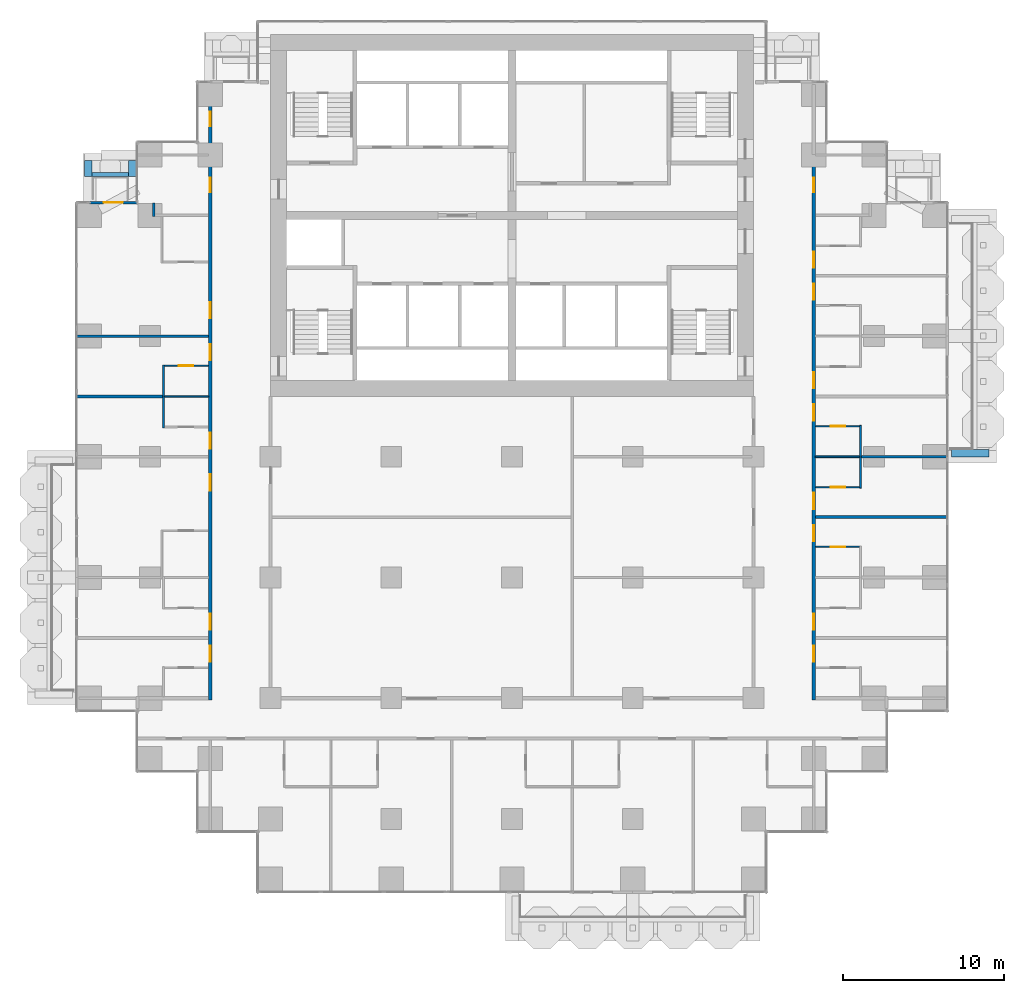
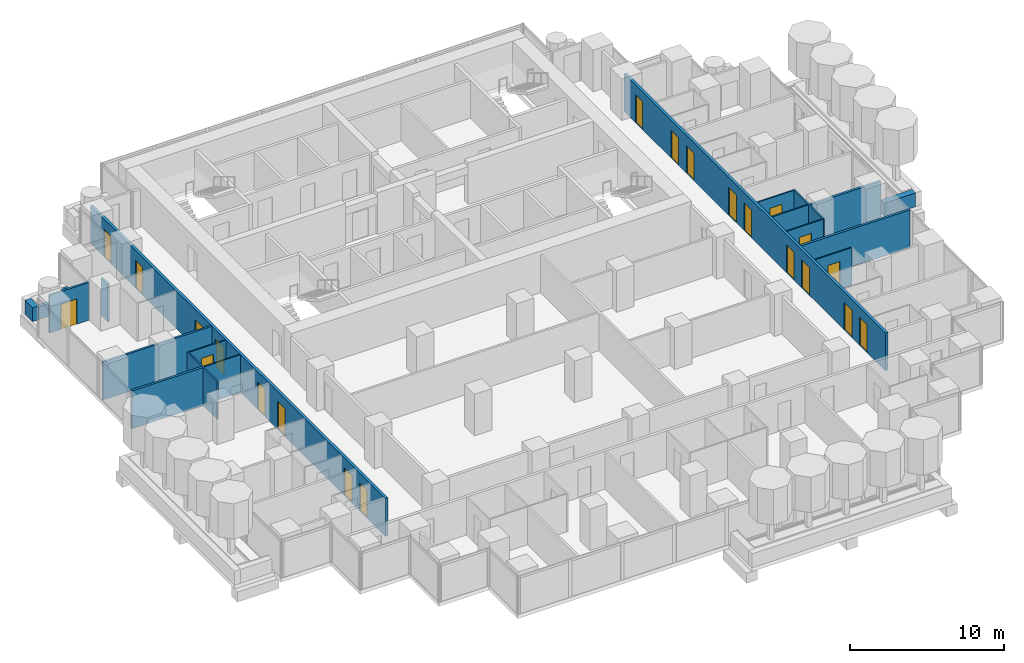
# One storey, part 13 of 19: 22 doors, 20 walls, 22 openings.
"""IFC4 building model written with IfcOpenShell, lengths in metres."""

from ifc_helpers import new_model, si_unit, direction, frame, frame_2d, origin, place, context, subcontext, project, spatial, rectangle, extrude, material, layer, layer_set, type_object, element, fill, save


model = new_model("IFC4")

# Units and contexts
model_context = context("Model", 3, precision=1e-05, world=origin(), true_north=direction((0.0, 1.0)))
body_context = subcontext(model_context, "Body", "Model", "MODEL_VIEW")
ifc_project = project(units=[si_unit("LENGTHUNIT", "METRE"), si_unit("AREAUNIT", "SQUARE_METRE"), si_unit("VOLUMEUNIT", "CUBIC_METRE"), si_unit("PLANEANGLEUNIT", "RADIAN"), si_unit("MASSUNIT", "GRAM", prefix="KILO")], contexts=[model_context])

# Site, building, storey
site_placement = place(None, origin())
site = spatial("IfcSite", under=ifc_project, at=site_placement, CompositionType="ELEMENT")
building_placement = place(site_placement, origin())
building = spatial("IfcBuilding", under=site, at=building_placement, Name="Pilkhan Gate Tower", CompositionType="ELEMENT")
storey_placement = place(building_placement, frame((0.0, 0.0, 59.300048828125)))
storey = spatial("IfcBuildingStorey", under=building, at=storey_placement, Name="L12", CompositionType="ELEMENT", Elevation=59.300048828125)

# Walls
ifc_material_1 = material(Name="Dense blockwork", Category="masonry")
ifc_layer_1 = layer(ifc_material_1, 0.175048828125)
ifc_layer_set_1 = layer_set([ifc_layer_1], Name="Acoustic party wall PW175")
wall_type_1 = type_object("IfcWallType", Name="Acoustic party wall PW175", PredefinedType="PARTITIONING", material=ifc_layer_set_1)
wall_1_placement = place(storey_placement, frame((93.85009765625, 63.75, 0.0), z_axis=(0.0, 0.0, 1.0), x_axis=(1.0, 0.0, 0.0)))
element("IfcWall", 1, at=wall_1_placement, inside=storey, type_object=wall_type_1, Name="Partition L12", PredefinedType="PARTITIONING", context=body_context, shape_type="SweptSolid", body=[
    extrude(rectangle(XDim=8.164794921875, YDim=0.175048828125, at=frame_2d((4.08251953125, 0.0))), origin(), (0.0, 0.0, 1.0), 3.0),
])
for number, where, z_axis, x_axis, name in (
    (2, (96.699951171875, 67.5, 0.0), (0.0, 0.0, 1.0), (1.0, 0.0, 0.0), "Partition L12"),
    (3, (47.985107421875, 71.25, 0.0), (0.0, 0.0, 1.0), (1.0, 0.0, 0.0), "Partition L12"),
):
    element("IfcWall", number, at=place(storey_placement, frame(where, z_axis=z_axis, x_axis=x_axis)), inside=storey, type_object=wall_type_1, Name=name, PredefinedType="PARTITIONING", context=body_context, shape_type="SweptSolid", body=[
        extrude(rectangle(XDim=5.31494140625, YDim=0.175048828125, at=frame_2d((2.657470703125, 0.0))), origin(), (0.0, 0.0, 1.0), 3.0),
    ])
ifc_material_2 = material(Name="Concrete C40/50", Category="concrete")
ifc_layer_2 = layer(ifc_material_2, 0.25)
ifc_layer_set_2 = layer_set([ifc_layer_2], Name="Balcony planter BP250")
wall_type_2 = type_object("IfcWallType", Name="Balcony planter BP250", PredefinedType="USERDEFINED", material=ifc_layer_set_2)
wall_2_placement = place(storey_placement, frame((48.89990234375, 85.02490234375, 0.0), z_axis=(0.0, 0.0, 1.0), x_axis=(1.0, 0.0, 0.0)))
element("IfcWall", 4, at=wall_2_placement, inside=storey, type_object=wall_type_2, Name="Balcony planter L12 N", ObjectType="BALCONY PLANTER", PredefinedType="USERDEFINED", context=body_context, shape_type="SweptSolid", body=[
    extrude(rectangle(XDim=2.280029296875, YDim=0.25, at=frame_2d((1.14013671875, 0.0))), origin(), (0.0, 0.0, 1.0), 1.0),
])
ifc_material_3 = material(Name="Board-marked Concrete C40/50", Category="concrete")
ifc_layer_3 = layer(ifc_material_3, 0.449951171875)
ifc_layer_set_3 = layer_set([ifc_layer_3], Name="Balcony planter lip BL450")
wall_type_3 = type_object("IfcWallType", Name="Balcony planter lip BL450", PredefinedType="USERDEFINED", material=ifc_layer_set_3)
wall_3_placement = place(storey_placement, frame((102.300048828125, 67.72509765625, 0.0), z_axis=(0.0, 0.0, 1.0), x_axis=(1.0, 0.0, 0.0)))
element("IfcWall", 5, at=wall_3_placement, inside=storey, type_object=wall_type_3, Name="Balcony planter L12 E", ObjectType="BALCONY PLANTER", PredefinedType="USERDEFINED", context=body_context, shape_type="SweptSolid", body=[
    extrude(rectangle(XDim=2.349853515625, YDim=0.449951171875, at=frame_2d((1.1748046875, 0.0))), origin(), (0.0, 0.0, 1.0), 1.099853515625),
])
for number, where, z_axis, x_axis, name in (
    (6, (48.675048828125, 84.89990234375, 0.0), (0.0, 0.0, 1.0), (0.0, 1.0, 0.0), "Balcony planter L12 N"),
    (7, (51.405029296875, 84.89990234375, 0.0), (0.0, 0.0, 1.0), (0.0, 1.0, 0.0), "Balcony planter L12 N"),
):
    element("IfcWall", number, at=place(storey_placement, frame(where, z_axis=z_axis, x_axis=x_axis)), inside=storey, type_object=wall_type_3, Name=name, ObjectType="BALCONY PLANTER", PredefinedType="USERDEFINED", context=body_context, shape_type="SweptSolid", body=[
        extrude(rectangle(XDim=1.0, YDim=0.449951171875, at=frame_2d((0.5, 0.0))), origin(), (0.0, 0.0, 1.0), 1.099853515625),
    ])

# Wall, openings, doors
ifc_layer_4 = layer(ifc_material_1, 0.199951171875)
ifc_layer_set_4 = layer_set([ifc_layer_4], Name="Corridor wall FW200")
wall_type_4 = type_object("IfcWallType", Name="Corridor wall FW200", PredefinedType="PARTITIONING", material=ifc_layer_set_4)
wall_4_placement = place(storey_placement, frame((56.25, 52.39990234375, 0.0), z_axis=(0.0, 0.0, 1.0), x_axis=(0.0, 1.0, 0.0)))
wall_4 = element("IfcWall", 8, at=wall_4_placement, inside=storey, type_object=wall_type_4, Name="Partition L12", PredefinedType="PARTITIONING", context=body_context, shape_type="SweptSolid", body=[
    extrude(rectangle(XDim=38.31005859375, YDim=0.199951171875, at=frame_2d((19.155029296875, 0.0))), origin(), (0.0, 0.0, 1.0), 3.0),
])
opening_1_placement = place(wall_4_placement, frame((2.35009765625, 0.0, 0.0)))
opening_1 = element("IfcOpeningElement", 9, at=opening_1_placement, cuts=wall_4, Name="Opening L12-16", PredefinedType="OPENING", context=body_context, shape_type="SweptSolid", body=[
    extrude(rectangle(XDim=1.0, YDim=2.199951171875, at=frame_2d((0.5, 1.10009765625))), frame((0.0, 0.10986328125, 0.0), z_axis=(0.0, -1.0, 0.0), x_axis=(1.0, 0.0, 0.0)), (0.0, 0.0, 1.0), 0.219970703125),
])
opening_2_placement = place(wall_4_placement, frame((4.35009765625, 0.0, 0.0)))
opening_2 = element("IfcOpeningElement", 10, at=opening_2_placement, cuts=wall_4, Name="Opening L12-18", PredefinedType="OPENING", context=body_context, shape_type="SweptSolid", body=[
    extrude(rectangle(XDim=1.0, YDim=2.199951171875, at=frame_2d((0.5, 1.10009765625))), frame((0.0, 0.10986328125, 0.0), z_axis=(0.0, -1.0, 0.0), x_axis=(1.0, 0.0, 0.0)), (0.0, 0.0, 1.0), 0.219970703125),
])
opening_3_placement = place(wall_4_placement, frame((13.0, 0.0, 0.0)))
opening_3 = element("IfcOpeningElement", 11, at=opening_3_placement, cuts=wall_4, Name="Opening L12-20", PredefinedType="OPENING", context=body_context, shape_type="SweptSolid", body=[
    extrude(rectangle(XDim=1.0, YDim=2.199951171875, at=frame_2d((0.5, 1.10009765625))), frame((0.0, 0.10986328125, 0.0), z_axis=(0.0, -1.0, 0.0), x_axis=(1.0, 0.0, 0.0)), (0.0, 0.0, 1.0), 0.219970703125),
])
opening_4_placement = place(wall_4_placement, frame((15.60009765625, 0.0, 0.0)))
opening_4 = element("IfcOpeningElement", 12, at=opening_4_placement, cuts=wall_4, Name="Opening L12-22", PredefinedType="OPENING", context=body_context, shape_type="SweptSolid", body=[
    extrude(rectangle(XDim=1.0, YDim=2.199951171875, at=frame_2d((0.5, 1.10009765625))), frame((0.0, 0.10986328125, 0.0), z_axis=(0.0, -1.0, 0.0), x_axis=(1.0, 0.0, 0.0)), (0.0, 0.0, 1.0), 0.219970703125),
])
opening_5_placement = place(wall_4_placement, frame((21.10009765625, 0.0, 0.0)))
opening_5 = element("IfcOpeningElement", 13, at=opening_5_placement, cuts=wall_4, Name="Opening L12-24", PredefinedType="OPENING", context=body_context, shape_type="SweptSolid", body=[
    extrude(rectangle(XDim=1.0, YDim=2.199951171875, at=frame_2d((0.5, 1.10009765625))), frame((0.0, 0.10986328125, 0.0), z_axis=(0.0, -1.0, 0.0), x_axis=(1.0, 0.0, 0.0)), (0.0, 0.0, 1.0), 0.219970703125),
])
opening_6_placement = place(wall_4_placement, frame((23.699951171875, 0.0, 0.0)))
opening_6 = element("IfcOpeningElement", 14, at=opening_6_placement, cuts=wall_4, Name="Opening L12-26", PredefinedType="OPENING", context=body_context, shape_type="SweptSolid", body=[
    extrude(rectangle(XDim=1.0, YDim=2.199951171875, at=frame_2d((0.5, 1.10009765625))), frame((0.0, 0.10986328125, 0.0), z_axis=(0.0, -1.0, 0.0), x_axis=(1.0, 0.0, 0.0)), (0.0, 0.0, 1.0), 0.219970703125),
])
opening_7_placement = place(wall_4_placement, frame((31.550048828125, 0.0, 0.0)))
opening_7 = element("IfcOpeningElement", 15, at=opening_7_placement, cuts=wall_4, Name="Opening L12-51", PredefinedType="OPENING", context=body_context, shape_type="SweptSolid", body=[
    extrude(rectangle(XDim=0.89990234375, YDim=2.199951171875, at=frame_2d((0.449951171875, 1.10009765625))), frame((0.0, 0.10986328125, 0.0), z_axis=(0.0, -1.0, 0.0), x_axis=(1.0, 0.0, 0.0)), (0.0, 0.0, 1.0), 0.219970703125),
])
opening_8_placement = place(wall_4_placement, frame((35.64990234375, 0.0, 0.0)))
opening_8 = element("IfcOpeningElement", 16, at=opening_8_placement, cuts=wall_4, Name="Opening L12-52", PredefinedType="OPENING", context=body_context, shape_type="SweptSolid", body=[
    extrude(rectangle(XDim=0.89990234375, YDim=2.199951171875, at=frame_2d((0.449951171875, 1.10009765625))), frame((0.0, 0.10986328125, 0.0), z_axis=(0.0, -1.0, 0.0), x_axis=(1.0, 0.0, 0.0)), (0.0, 0.0, 1.0), 0.219970703125),
])
ifc_material_4 = material(Name="Timber flush door, 30 minute fire resisting", Category="wood")
door_type_1 = type_object("IfcDoorType", Name="Guest room door D01 1000x2200", OperationType="SINGLE_SWING_LEFT", PredefinedType="DOOR", material=ifc_material_4)
door_1_placement = place(opening_1_placement, origin())
door_1 = element("IfcDoor", 17, at=door_1_placement, inside=storey, type_object=door_type_1, Name="Guest room door", OperationType="SINGLE_SWING_LEFT", OverallHeight=2.199951171875, OverallWidth=1.0, PredefinedType="DOOR", context=body_context, shape_type="SweptSolid", body=[
    extrude(rectangle(XDim=1.0, YDim=2.199951171875, at=frame_2d((0.5, 1.10009765625))), frame((0.0, 0.02490234375, 0.0), z_axis=(0.0, -1.0, 0.0), x_axis=(1.0, 0.0, 0.0)), (0.0, 0.0, 1.0), 0.050048828125),
])
fill(opening_1, door_1)
door_2_placement = place(opening_2_placement, origin())
door_2 = element("IfcDoor", 18, at=door_2_placement, inside=storey, type_object=door_type_1, Name="Guest room door", OperationType="SINGLE_SWING_LEFT", OverallHeight=2.199951171875, OverallWidth=1.0, PredefinedType="DOOR", context=body_context, shape_type="SweptSolid", body=[
    extrude(rectangle(XDim=1.0, YDim=2.199951171875, at=frame_2d((0.5, 1.10009765625))), frame((0.0, 0.02490234375, 0.0), z_axis=(0.0, -1.0, 0.0), x_axis=(1.0, 0.0, 0.0)), (0.0, 0.0, 1.0), 0.050048828125),
])
fill(opening_2, door_2)
door_3_placement = place(opening_3_placement, origin())
door_3 = element("IfcDoor", 19, at=door_3_placement, inside=storey, type_object=door_type_1, Name="Guest room door", OperationType="SINGLE_SWING_RIGHT", OverallHeight=2.199951171875, OverallWidth=1.0, PredefinedType="DOOR", context=body_context, shape_type="SweptSolid", body=[
    extrude(rectangle(XDim=1.0, YDim=2.199951171875, at=frame_2d((0.5, 1.10009765625))), frame((0.0, 0.02490234375, 0.0), z_axis=(0.0, -1.0, 0.0), x_axis=(1.0, 0.0, 0.0)), (0.0, 0.0, 1.0), 0.050048828125),
])
fill(opening_3, door_3)
door_4_placement = place(opening_4_placement, origin())
door_4 = element("IfcDoor", 20, at=door_4_placement, inside=storey, type_object=door_type_1, Name="Guest room door", OperationType="SINGLE_SWING_LEFT", OverallHeight=2.199951171875, OverallWidth=1.0, PredefinedType="DOOR", context=body_context, shape_type="SweptSolid", body=[
    extrude(rectangle(XDim=1.0, YDim=2.199951171875, at=frame_2d((0.5, 1.10009765625))), frame((0.0, 0.02490234375, 0.0), z_axis=(0.0, -1.0, 0.0), x_axis=(1.0, 0.0, 0.0)), (0.0, 0.0, 1.0), 0.050048828125),
])
fill(opening_4, door_4)
door_5_placement = place(opening_5_placement, origin())
door_5 = element("IfcDoor", 21, at=door_5_placement, inside=storey, type_object=door_type_1, Name="Guest room door", OperationType="SINGLE_SWING_LEFT", OverallHeight=2.199951171875, OverallWidth=1.0, PredefinedType="DOOR", context=body_context, shape_type="SweptSolid", body=[
    extrude(rectangle(XDim=1.0, YDim=2.199951171875, at=frame_2d((0.5, 1.10009765625))), frame((0.0, 0.02490234375, 0.0), z_axis=(0.0, -1.0, 0.0), x_axis=(1.0, 0.0, 0.0)), (0.0, 0.0, 1.0), 0.050048828125),
])
fill(opening_5, door_5)
door_6_placement = place(opening_6_placement, origin())
door_6 = element("IfcDoor", 22, at=door_6_placement, inside=storey, type_object=door_type_1, Name="Guest room door", OperationType="SINGLE_SWING_LEFT", OverallHeight=2.199951171875, OverallWidth=1.0, PredefinedType="DOOR", context=body_context, shape_type="SweptSolid", body=[
    extrude(rectangle(XDim=1.0, YDim=2.199951171875, at=frame_2d((0.5, 1.10009765625))), frame((0.0, 0.02490234375, 0.0), z_axis=(0.0, -1.0, 0.0), x_axis=(1.0, 0.0, 0.0)), (0.0, 0.0, 1.0), 0.050048828125),
])
fill(opening_6, door_6)
ifc_material_5 = material(Name="Timber flush door, 60 minute fire resisting, self-closing", Category="wood")
door_type_2 = type_object("IfcDoorType", Name="Store door D05 900x2200", OperationType="SINGLE_SWING_LEFT", PredefinedType="DOOR", material=ifc_material_5)
door_7_placement = place(opening_7_placement, origin())
door_7 = element("IfcDoor", 23, at=door_7_placement, inside=storey, type_object=door_type_2, Name="Store door", OperationType="SINGLE_SWING_LEFT", OverallHeight=2.199951171875, OverallWidth=0.89990234375, PredefinedType="DOOR", context=body_context, shape_type="SweptSolid", body=[
    extrude(rectangle(XDim=0.89990234375, YDim=2.199951171875, at=frame_2d((0.449951171875, 1.10009765625))), frame((0.0, 0.02490234375, 0.0), z_axis=(0.0, -1.0, 0.0), x_axis=(1.0, 0.0, 0.0)), (0.0, 0.0, 1.0), 0.050048828125),
])
fill(opening_7, door_7)
door_8_placement = place(opening_8_placement, origin())
door_8 = element("IfcDoor", 24, at=door_8_placement, inside=storey, type_object=door_type_2, Name="Store door", OperationType="SINGLE_SWING_LEFT", OverallHeight=2.199951171875, OverallWidth=0.89990234375, PredefinedType="DOOR", context=body_context, shape_type="SweptSolid", body=[
    extrude(rectangle(XDim=0.89990234375, YDim=2.199951171875, at=frame_2d((0.449951171875, 1.10009765625))), frame((0.0, 0.02490234375, 0.0), z_axis=(0.0, -1.0, 0.0), x_axis=(1.0, 0.0, 0.0)), (0.0, 0.0, 1.0), 0.050048828125),
])
fill(opening_8, door_8)

wall_5_placement = place(storey_placement, frame((93.75, 52.39990234375, 0.0), z_axis=(0.0, 0.0, 1.0), x_axis=(0.0, 1.0, 0.0)))
wall_5 = element("IfcWall", 25, at=wall_5_placement, inside=storey, type_object=wall_type_4, Name="Partition L12", PredefinedType="PARTITIONING", context=body_context, shape_type="SweptSolid", body=[
    extrude(rectangle(XDim=33.925048828125, YDim=0.199951171875, at=frame_2d((16.96240234375, 0.0))), origin(), (0.0, 0.0, 1.0), 3.0),
])
opening_9_placement = place(wall_5_placement, frame((2.35009765625, 0.0, 0.0)))
opening_9 = element("IfcOpeningElement", 26, at=opening_9_placement, cuts=wall_5, Name="Opening L12-28", PredefinedType="OPENING", context=body_context, shape_type="SweptSolid", body=[
    extrude(rectangle(XDim=1.0, YDim=2.199951171875, at=frame_2d((0.5, 1.10009765625))), frame((0.0, 0.10986328125, 0.0), z_axis=(0.0, -1.0, 0.0), x_axis=(1.0, 0.0, 0.0)), (0.0, 0.0, 1.0), 0.219970703125),
])
opening_10_placement = place(wall_5_placement, frame((4.35009765625, 0.0, 0.0)))
opening_10 = element("IfcOpeningElement", 27, at=opening_10_placement, cuts=wall_5, Name="Opening L12-30", PredefinedType="OPENING", context=body_context, shape_type="SweptSolid", body=[
    extrude(rectangle(XDim=1.0, YDim=2.199951171875, at=frame_2d((0.5, 1.10009765625))), frame((0.0, 0.10986328125, 0.0), z_axis=(0.0, -1.0, 0.0), x_axis=(1.0, 0.0, 0.0)), (0.0, 0.0, 1.0), 0.219970703125),
])
opening_11_placement = place(wall_5_placement, frame((9.85009765625, 0.0, 0.0)))
opening_11 = element("IfcOpeningElement", 28, at=opening_11_placement, cuts=wall_5, Name="Opening L12-32", PredefinedType="OPENING", context=body_context, shape_type="SweptSolid", body=[
    extrude(rectangle(XDim=1.0, YDim=2.199951171875, at=frame_2d((0.5, 1.10009765625))), frame((0.0, 0.10986328125, 0.0), z_axis=(0.0, -1.0, 0.0), x_axis=(1.0, 0.0, 0.0)), (0.0, 0.0, 1.0), 0.219970703125),
])
opening_12_placement = place(wall_5_placement, frame((11.85009765625, 0.0, 0.0)))
opening_12 = element("IfcOpeningElement", 29, at=opening_12_placement, cuts=wall_5, Name="Opening L12-34", PredefinedType="OPENING", context=body_context, shape_type="SweptSolid", body=[
    extrude(rectangle(XDim=1.0, YDim=2.199951171875, at=frame_2d((0.5, 1.10009765625))), frame((0.0, 0.10986328125, 0.0), z_axis=(0.0, -1.0, 0.0), x_axis=(1.0, 0.0, 0.0)), (0.0, 0.0, 1.0), 0.219970703125),
])
opening_13_placement = place(wall_5_placement, frame((17.35009765625, 0.0, 0.0)))
opening_13 = element("IfcOpeningElement", 30, at=opening_13_placement, cuts=wall_5, Name="Opening L12-36", PredefinedType="OPENING", context=body_context, shape_type="SweptSolid", body=[
    extrude(rectangle(XDim=1.0, YDim=2.199951171875, at=frame_2d((0.5, 1.10009765625))), frame((0.0, 0.10986328125, 0.0), z_axis=(0.0, -1.0, 0.0), x_axis=(1.0, 0.0, 0.0)), (0.0, 0.0, 1.0), 0.219970703125),
])
opening_14_placement = place(wall_5_placement, frame((19.35009765625, 0.0, 0.0)))
opening_14 = element("IfcOpeningElement", 31, at=opening_14_placement, cuts=wall_5, Name="Opening L12-38", PredefinedType="OPENING", context=body_context, shape_type="SweptSolid", body=[
    extrude(rectangle(XDim=1.0, YDim=2.199951171875, at=frame_2d((0.5, 1.10009765625))), frame((0.0, 0.10986328125, 0.0), z_axis=(0.0, -1.0, 0.0), x_axis=(1.0, 0.0, 0.0)), (0.0, 0.0, 1.0), 0.219970703125),
])
opening_15_placement = place(wall_5_placement, frame((24.85009765625, 0.0, 0.0)))
opening_15 = element("IfcOpeningElement", 32, at=opening_15_placement, cuts=wall_5, Name="Opening L12-40", PredefinedType="OPENING", context=body_context, shape_type="SweptSolid", body=[
    extrude(rectangle(XDim=1.0, YDim=2.199951171875, at=frame_2d((0.5, 1.10009765625))), frame((0.0, 0.10986328125, 0.0), z_axis=(0.0, -1.0, 0.0), x_axis=(1.0, 0.0, 0.0)), (0.0, 0.0, 1.0), 0.219970703125),
])
opening_16_placement = place(wall_5_placement, frame((26.85009765625, 0.0, 0.0)))
opening_16 = element("IfcOpeningElement", 33, at=opening_16_placement, cuts=wall_5, Name="Opening L12-42", PredefinedType="OPENING", context=body_context, shape_type="SweptSolid", body=[
    extrude(rectangle(XDim=1.0, YDim=2.199951171875, at=frame_2d((0.5, 1.10009765625))), frame((0.0, 0.10986328125, 0.0), z_axis=(0.0, -1.0, 0.0), x_axis=(1.0, 0.0, 0.0)), (0.0, 0.0, 1.0), 0.219970703125),
])
opening_17_placement = place(wall_5_placement, frame((31.550048828125, 0.0, 0.0)))
opening_17 = element("IfcOpeningElement", 34, at=opening_17_placement, cuts=wall_5, Name="Opening L12-53", PredefinedType="OPENING", context=body_context, shape_type="SweptSolid", body=[
    extrude(rectangle(XDim=0.89990234375, YDim=2.199951171875, at=frame_2d((0.449951171875, 1.10009765625))), frame((0.0, 0.10986328125, 0.0), z_axis=(0.0, -1.0, 0.0), x_axis=(1.0, 0.0, 0.0)), (0.0, 0.0, 1.0), 0.219970703125),
])
door_9_placement = place(opening_9_placement, origin())
door_9 = element("IfcDoor", 35, at=door_9_placement, inside=storey, type_object=door_type_1, Name="Guest room door", OperationType="SINGLE_SWING_RIGHT", OverallHeight=2.199951171875, OverallWidth=1.0, PredefinedType="DOOR", context=body_context, shape_type="SweptSolid", body=[
    extrude(rectangle(XDim=1.0, YDim=2.199951171875, at=frame_2d((0.5, 1.10009765625))), frame((0.0, 0.02490234375, 0.0), z_axis=(0.0, -1.0, 0.0), x_axis=(1.0, 0.0, 0.0)), (0.0, 0.0, 1.0), 0.050048828125),
])
fill(opening_9, door_9)
door_10_placement = place(opening_10_placement, origin())
door_10 = element("IfcDoor", 36, at=door_10_placement, inside=storey, type_object=door_type_1, Name="Guest room door", OperationType="SINGLE_SWING_RIGHT", OverallHeight=2.199951171875, OverallWidth=1.0, PredefinedType="DOOR", context=body_context, shape_type="SweptSolid", body=[
    extrude(rectangle(XDim=1.0, YDim=2.199951171875, at=frame_2d((0.5, 1.10009765625))), frame((0.0, 0.02490234375, 0.0), z_axis=(0.0, -1.0, 0.0), x_axis=(1.0, 0.0, 0.0)), (0.0, 0.0, 1.0), 0.050048828125),
])
fill(opening_10, door_10)
door_11_placement = place(opening_11_placement, origin())
door_11 = element("IfcDoor", 37, at=door_11_placement, inside=storey, type_object=door_type_1, Name="Guest room door", OperationType="SINGLE_SWING_LEFT", OverallHeight=2.199951171875, OverallWidth=1.0, PredefinedType="DOOR", context=body_context, shape_type="SweptSolid", body=[
    extrude(rectangle(XDim=1.0, YDim=2.199951171875, at=frame_2d((0.5, 1.10009765625))), frame((0.0, 0.02490234375, 0.0), z_axis=(0.0, -1.0, 0.0), x_axis=(1.0, 0.0, 0.0)), (0.0, 0.0, 1.0), 0.050048828125),
])
fill(opening_11, door_11)
door_12_placement = place(opening_12_placement, origin())
door_12 = element("IfcDoor", 38, at=door_12_placement, inside=storey, type_object=door_type_1, Name="Guest room door", OperationType="SINGLE_SWING_LEFT", OverallHeight=2.199951171875, OverallWidth=1.0, PredefinedType="DOOR", context=body_context, shape_type="SweptSolid", body=[
    extrude(rectangle(XDim=1.0, YDim=2.199951171875, at=frame_2d((0.5, 1.10009765625))), frame((0.0, 0.02490234375, 0.0), z_axis=(0.0, -1.0, 0.0), x_axis=(1.0, 0.0, 0.0)), (0.0, 0.0, 1.0), 0.050048828125),
])
fill(opening_12, door_12)
door_13_placement = place(opening_13_placement, origin())
door_13 = element("IfcDoor", 39, at=door_13_placement, inside=storey, type_object=door_type_1, Name="Guest room door", OperationType="SINGLE_SWING_LEFT", OverallHeight=2.199951171875, OverallWidth=1.0, PredefinedType="DOOR", context=body_context, shape_type="SweptSolid", body=[
    extrude(rectangle(XDim=1.0, YDim=2.199951171875, at=frame_2d((0.5, 1.10009765625))), frame((0.0, 0.02490234375, 0.0), z_axis=(0.0, -1.0, 0.0), x_axis=(1.0, 0.0, 0.0)), (0.0, 0.0, 1.0), 0.050048828125),
])
fill(opening_13, door_13)
door_14_placement = place(opening_14_placement, origin())
door_14 = element("IfcDoor", 40, at=door_14_placement, inside=storey, type_object=door_type_1, Name="Guest room door", OperationType="SINGLE_SWING_LEFT", OverallHeight=2.199951171875, OverallWidth=1.0, PredefinedType="DOOR", context=body_context, shape_type="SweptSolid", body=[
    extrude(rectangle(XDim=1.0, YDim=2.199951171875, at=frame_2d((0.5, 1.10009765625))), frame((0.0, 0.02490234375, 0.0), z_axis=(0.0, -1.0, 0.0), x_axis=(1.0, 0.0, 0.0)), (0.0, 0.0, 1.0), 0.050048828125),
])
fill(opening_14, door_14)
door_15_placement = place(opening_15_placement, origin())
door_15 = element("IfcDoor", 41, at=door_15_placement, inside=storey, type_object=door_type_1, Name="Guest room door", OperationType="SINGLE_SWING_RIGHT", OverallHeight=2.199951171875, OverallWidth=1.0, PredefinedType="DOOR", context=body_context, shape_type="SweptSolid", body=[
    extrude(rectangle(XDim=1.0, YDim=2.199951171875, at=frame_2d((0.5, 1.10009765625))), frame((0.0, 0.02490234375, 0.0), z_axis=(0.0, -1.0, 0.0), x_axis=(1.0, 0.0, 0.0)), (0.0, 0.0, 1.0), 0.050048828125),
])
fill(opening_15, door_15)
door_16_placement = place(opening_16_placement, origin())
door_16 = element("IfcDoor", 42, at=door_16_placement, inside=storey, type_object=door_type_1, Name="Guest room door", OperationType="SINGLE_SWING_RIGHT", OverallHeight=2.199951171875, OverallWidth=1.0, PredefinedType="DOOR", context=body_context, shape_type="SweptSolid", body=[
    extrude(rectangle(XDim=1.0, YDim=2.199951171875, at=frame_2d((0.5, 1.10009765625))), frame((0.0, 0.02490234375, 0.0), z_axis=(0.0, -1.0, 0.0), x_axis=(1.0, 0.0, 0.0)), (0.0, 0.0, 1.0), 0.050048828125),
])
fill(opening_16, door_16)
door_17_placement = place(opening_17_placement, origin())
door_17 = element("IfcDoor", 43, at=door_17_placement, inside=storey, type_object=door_type_2, Name="Store door", OperationType="SINGLE_SWING_LEFT", OverallHeight=2.199951171875, OverallWidth=0.89990234375, PredefinedType="DOOR", context=body_context, shape_type="SweptSolid", body=[
    extrude(rectangle(XDim=0.89990234375, YDim=2.199951171875, at=frame_2d((0.449951171875, 1.10009765625))), frame((0.0, 0.02490234375, 0.0), z_axis=(0.0, -1.0, 0.0), x_axis=(1.0, 0.0, 0.0)), (0.0, 0.0, 1.0), 0.050048828125),
])
fill(opening_17, door_17)

# Wall, opening, door
ifc_material_6 = material(Name="Pale anodised aluminium, clear laminated glazing", Category="aluminium")
ifc_layer_5 = layer(ifc_material_6, 0.14990234375)
ifc_layer_set_5 = layer_set([ifc_layer_5], Name="Facade infill wall IW150")
wall_type_5 = type_object("IfcWallType", Name="Facade infill wall IW150", PredefinedType="SOLIDWALL", material=ifc_layer_set_5)
wall_6_placement = place(storey_placement, frame((48.75, 83.294921875, 0.0), z_axis=(0.0, 0.0, 1.0), x_axis=(1.0, 0.0, 0.0)))
wall_6 = element("IfcWall", 44, at=wall_6_placement, inside=storey, type_object=wall_type_5, Name="Infill wall L12 N", PredefinedType="SOLIDWALL", context=body_context, shape_type="SweptSolid", body=[
    extrude(rectangle(XDim=2.955078125, YDim=0.14990234375, at=frame_2d((1.4775390625, 0.0))), origin(), (0.0, 0.0, 1.0), 3.0),
])
opening_18_placement = place(wall_6_placement, frame((0.87744140625, 0.0, 0.0)))
opening_18 = element("IfcOpeningElement", 45, at=opening_18_placement, cuts=wall_6, Name="Opening D1L", PredefinedType="OPENING", context=body_context, shape_type="SweptSolid", body=[
    extrude(rectangle(XDim=1.199951171875, YDim=2.0, at=frame_2d((0.60009765625, 1.0))), frame((0.0, 0.0849609375, 0.0), z_axis=(0.0, -1.0, 0.0), x_axis=(1.0, 0.0, 0.0)), (0.0, 0.0, 1.0), 0.169921875),
])
ifc_material_7 = material(Name="Pale anodised aluminium, clear glazing", Category="aluminium")
door_type_3 = type_object("IfcDoorType", Name="Balcony door D1L 1200x2000", OperationType="SINGLE_SWING_LEFT", PredefinedType="DOOR", material=ifc_material_7)
door_18_placement = place(opening_18_placement, origin())
door_18 = element("IfcDoor", 46, at=door_18_placement, inside=storey, type_object=door_type_3, Name="Balcony door L12", OperationType="SINGLE_SWING_LEFT", OverallHeight=2.0, OverallWidth=1.199951171875, PredefinedType="DOOR", context=body_context, shape_type="SweptSolid", body=[
    extrude(rectangle(XDim=1.199951171875, YDim=2.0, at=frame_2d((0.60009765625, 1.0))), frame((0.0, 0.02490234375, 0.0), z_axis=(0.0, -1.0, 0.0), x_axis=(1.0, 0.0, 0.0)), (0.0, 0.0, 1.0), 0.050048828125),
])
fill(opening_18, door_18)

# Walls
ifc_material_8 = material(Name="Blockwork partition, plastered both sides", Category="masonry")
ifc_layer_6 = layer(ifc_material_8, 0.14990234375)
ifc_layer_set_6 = layer_set([ifc_layer_6], Name="Partition PW150")
wall_type_6 = type_object("IfcWallType", Name="Partition PW150", PredefinedType="PARTITIONING", material=ifc_layer_set_6)
wall_7_placement = place(storey_placement, frame((47.985107421875, 75.0, 0.0), z_axis=(0.0, 0.0, 1.0), x_axis=(1.0, 0.0, 0.0)))
element("IfcWall", 47, at=wall_7_placement, inside=storey, type_object=wall_type_6, Name="Partition L12", PredefinedType="PARTITIONING", context=body_context, shape_type="SweptSolid", body=[
    extrude(rectangle(XDim=8.164794921875, YDim=0.14990234375, at=frame_2d((4.08251953125, 0.0))), origin(), (0.0, 0.0, 1.0), 3.0),
])
wall_8_placement = place(storey_placement, frame((52.735107421875, 82.425048828125, 0.0), z_axis=(0.0, 0.0, 1.0), x_axis=(0.0, 1.0, 0.0)))
element("IfcWall", 48, at=wall_8_placement, inside=storey, type_object=wall_type_6, Name="Partition L12", PredefinedType="PARTITIONING", context=body_context, shape_type="SweptSolid", body=[
    extrude(rectangle(XDim=0.83984375, YDim=0.14990234375, at=frame_2d((0.419921875, 0.0))), origin(), (0.0, 0.0, 1.0), 3.0),
])

# Wall, opening, door
ifc_material_9 = material(Name="Moisture resistant board, tiled")
ifc_layer_7 = layer(ifc_material_9, 0.10009765625)
ifc_layer_set_7 = layer_set([ifc_layer_7], Name="Wet wall PW100")
wall_type_7 = type_object("IfcWallType", Name="Wet wall PW100", PredefinedType="PARTITIONING", material=ifc_layer_set_7)
wall_9_placement = place(storey_placement, frame((93.85009765625, 61.89990234375, 0.0), z_axis=(0.0, 0.0, 1.0), x_axis=(1.0, 0.0, 0.0)))
wall_9 = element("IfcWall", 49, at=wall_9_placement, inside=storey, type_object=wall_type_7, Name="Partition L12", PredefinedType="PARTITIONING", context=body_context, shape_type="SweptSolid", body=[
    extrude(rectangle(XDim=2.75, YDim=0.10009765625, at=frame_2d((1.375, 0.0))), origin(), (0.0, 0.0, 1.0), 3.0),
])
opening_19_placement = place(wall_9_placement, frame((0.949951171875, 0.0, 0.0)))
opening_19 = element("IfcOpeningElement", 50, at=opening_19_placement, cuts=wall_9, Name="Opening L12-33", PredefinedType="OPENING", context=body_context, shape_type="SweptSolid", body=[
    extrude(rectangle(XDim=0.89990234375, YDim=2.199951171875, at=frame_2d((0.449951171875, 1.10009765625))), frame((0.0, 0.06005859375, 0.0), z_axis=(0.0, -1.0, 0.0), x_axis=(1.0, 0.0, 0.0)), (0.0, 0.0, 1.0), 0.1201171875),
])
ifc_material_10 = material(Name="Timber flush door", Category="wood")
door_type_4 = type_object("IfcDoorType", Name="Bathroom door D02 900x2200", OperationType="SINGLE_SWING_RIGHT", PredefinedType="DOOR", material=ifc_material_10)
door_19_placement = place(opening_19_placement, origin())
door_19 = element("IfcDoor", 51, at=door_19_placement, inside=storey, type_object=door_type_4, Name="Bathroom door", OperationType="SINGLE_SWING_RIGHT", OverallHeight=2.199951171875, OverallWidth=0.89990234375, PredefinedType="DOOR", context=body_context, shape_type="SweptSolid", body=[
    extrude(rectangle(XDim=0.89990234375, YDim=2.199951171875, at=frame_2d((0.449951171875, 1.10009765625))), frame((0.0, 0.02490234375, 0.0), z_axis=(0.0, -1.0, 0.0), x_axis=(1.0, 0.0, 0.0)), (0.0, 0.0, 1.0), 0.050048828125),
])
fill(opening_19, door_19)

wall_10_placement = place(storey_placement, frame((93.85009765625, 65.60009765625, 0.0), z_axis=(0.0, 0.0, 1.0), x_axis=(1.0, 0.0, 0.0)))
wall_10 = element("IfcWall", 52, at=wall_10_placement, inside=storey, type_object=wall_type_7, Name="Partition L12", PredefinedType="PARTITIONING", context=body_context, shape_type="SweptSolid", body=[
    extrude(rectangle(XDim=2.75, YDim=0.10009765625, at=frame_2d((1.375, 0.0))), origin(), (0.0, 0.0, 1.0), 3.0),
])
opening_20_placement = place(wall_10_placement, frame((0.949951171875, 0.0, 0.0)))
opening_20 = element("IfcOpeningElement", 53, at=opening_20_placement, cuts=wall_10, Name="Opening L12-35", PredefinedType="OPENING", context=body_context, shape_type="SweptSolid", body=[
    extrude(rectangle(XDim=0.89990234375, YDim=2.199951171875, at=frame_2d((0.449951171875, 1.10009765625))), frame((0.0, 0.06005859375, 0.0), z_axis=(0.0, -1.0, 0.0), x_axis=(1.0, 0.0, 0.0)), (0.0, 0.0, 1.0), 0.1201171875),
])
door_20_placement = place(opening_20_placement, origin())
door_20 = element("IfcDoor", 54, at=door_20_placement, inside=storey, type_object=door_type_4, Name="Bathroom door", OperationType="SINGLE_SWING_RIGHT", OverallHeight=2.199951171875, OverallWidth=0.89990234375, PredefinedType="DOOR", context=body_context, shape_type="SweptSolid", body=[
    extrude(rectangle(XDim=0.89990234375, YDim=2.199951171875, at=frame_2d((0.449951171875, 1.10009765625))), frame((0.0, 0.02490234375, 0.0), z_axis=(0.0, -1.0, 0.0), x_axis=(1.0, 0.0, 0.0)), (0.0, 0.0, 1.0), 0.050048828125),
])
fill(opening_20, door_20)

# Wall
wall_11_placement = place(storey_placement, frame((93.85009765625, 67.5, 0.0), z_axis=(0.0, 0.0, 1.0), x_axis=(1.0, 0.0, 0.0)))
element("IfcWall", 55, at=wall_11_placement, inside=storey, type_object=wall_type_7, Name="Partition L12", PredefinedType="PARTITIONING", context=body_context, shape_type="SweptSolid", body=[
    extrude(rectangle(XDim=2.75, YDim=0.10009765625, at=frame_2d((1.375, 0.0))), origin(), (0.0, 0.0, 1.0), 3.0),
])

# Wall, opening, door
wall_12_placement = place(storey_placement, frame((93.85009765625, 69.39990234375, 0.0), z_axis=(0.0, 0.0, 1.0), x_axis=(1.0, 0.0, 0.0)))
wall_12 = element("IfcWall", 56, at=wall_12_placement, inside=storey, type_object=wall_type_7, Name="Partition L12", PredefinedType="PARTITIONING", context=body_context, shape_type="SweptSolid", body=[
    extrude(rectangle(XDim=2.75, YDim=0.10009765625, at=frame_2d((1.375, 0.0))), origin(), (0.0, 0.0, 1.0), 3.0),
])
opening_21_placement = place(wall_12_placement, frame((0.949951171875, 0.0, 0.0)))
opening_21 = element("IfcOpeningElement", 57, at=opening_21_placement, cuts=wall_12, Name="Opening L12-37", PredefinedType="OPENING", context=body_context, shape_type="SweptSolid", body=[
    extrude(rectangle(XDim=0.89990234375, YDim=2.199951171875, at=frame_2d((0.449951171875, 1.10009765625))), frame((0.0, 0.06005859375, 0.0), z_axis=(0.0, -1.0, 0.0), x_axis=(1.0, 0.0, 0.0)), (0.0, 0.0, 1.0), 0.1201171875),
])
door_21_placement = place(opening_21_placement, origin())
door_21 = element("IfcDoor", 58, at=door_21_placement, inside=storey, type_object=door_type_4, Name="Bathroom door", OperationType="SINGLE_SWING_RIGHT", OverallHeight=2.199951171875, OverallWidth=0.89990234375, PredefinedType="DOOR", context=body_context, shape_type="SweptSolid", body=[
    extrude(rectangle(XDim=0.89990234375, YDim=2.199951171875, at=frame_2d((0.449951171875, 1.10009765625))), frame((0.0, 0.02490234375, 0.0), z_axis=(0.0, -1.0, 0.0), x_axis=(1.0, 0.0, 0.0)), (0.0, 0.0, 1.0), 0.050048828125),
])
fill(opening_21, door_21)

# Wall
wall_13_placement = place(storey_placement, frame((53.39990234375, 71.25, 0.0), z_axis=(0.0, 0.0, 1.0), x_axis=(1.0, 0.0, 0.0)))
element("IfcWall", 59, at=wall_13_placement, inside=storey, type_object=wall_type_7, Name="Partition L12", PredefinedType="PARTITIONING", context=body_context, shape_type="SweptSolid", body=[
    extrude(rectangle(XDim=2.75, YDim=0.10009765625, at=frame_2d((1.375, 0.0))), origin(), (0.0, 0.0, 1.0), 3.0),
])

# Wall, opening, door
wall_14_placement = place(storey_placement, frame((53.39990234375, 73.14990234375, 0.0), z_axis=(0.0, 0.0, 1.0), x_axis=(1.0, 0.0, 0.0)))
wall_14 = element("IfcWall", 60, at=wall_14_placement, inside=storey, type_object=wall_type_7, Name="Partition L12", PredefinedType="PARTITIONING", context=body_context, shape_type="SweptSolid", body=[
    extrude(rectangle(XDim=2.75, YDim=0.10009765625, at=frame_2d((1.375, 0.0))), origin(), (0.0, 0.0, 1.0), 3.0),
])
opening_22_placement = place(wall_14_placement, frame((0.89990234375, 0.0, 0.0)))
opening_22 = element("IfcOpeningElement", 61, at=opening_22_placement, cuts=wall_14, Name="Opening L12-25", PredefinedType="OPENING", context=body_context, shape_type="SweptSolid", body=[
    extrude(rectangle(XDim=0.89990234375, YDim=2.199951171875, at=frame_2d((0.449951171875, 1.10009765625))), frame((0.0, 0.06005859375, 0.0), z_axis=(0.0, -1.0, 0.0), x_axis=(1.0, 0.0, 0.0)), (0.0, 0.0, 1.0), 0.1201171875),
])
door_22_placement = place(opening_22_placement, origin())
door_22 = element("IfcDoor", 62, at=door_22_placement, inside=storey, type_object=door_type_4, Name="Bathroom door", OperationType="SINGLE_SWING_RIGHT", OverallHeight=2.199951171875, OverallWidth=0.89990234375, PredefinedType="DOOR", context=body_context, shape_type="SweptSolid", body=[
    extrude(rectangle(XDim=0.89990234375, YDim=2.199951171875, at=frame_2d((0.449951171875, 1.10009765625))), frame((0.0, 0.02490234375, 0.0), z_axis=(0.0, -1.0, 0.0), x_axis=(1.0, 0.0, 0.0)), (0.0, 0.0, 1.0), 0.050048828125),
])
fill(opening_22, door_22)

# Walls
for number, where, z_axis, x_axis, name in (
    (63, (53.35009765625, 69.300048828125, 0.0), (0.0, 0.0, 1.0), (0.0, 1.0, 0.0), "Partition L12"),
    (64, (96.64990234375, 65.550048828125, 0.0), (0.0, 0.0, 1.0), (0.0, 1.0, 0.0), "Partition L12"),
):
    element("IfcWall", number, at=place(storey_placement, frame(where, z_axis=z_axis, x_axis=x_axis)), inside=storey, type_object=wall_type_7, Name=name, PredefinedType="PARTITIONING", context=body_context, shape_type="SweptSolid", body=[
        extrude(rectangle(XDim=3.89990234375, YDim=0.10009765625, at=frame_2d((1.949951171875, 0.0))), origin(), (0.0, 0.0, 1.0), 3.0),
    ])

save(model, "model.ifc")
